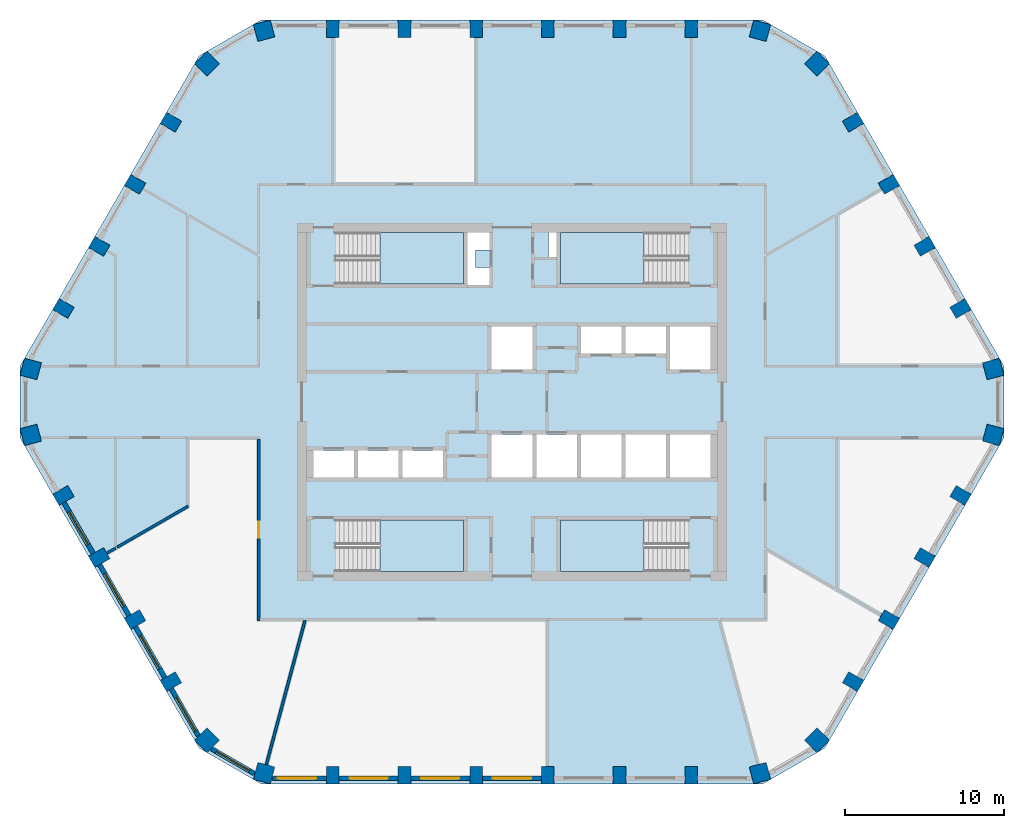
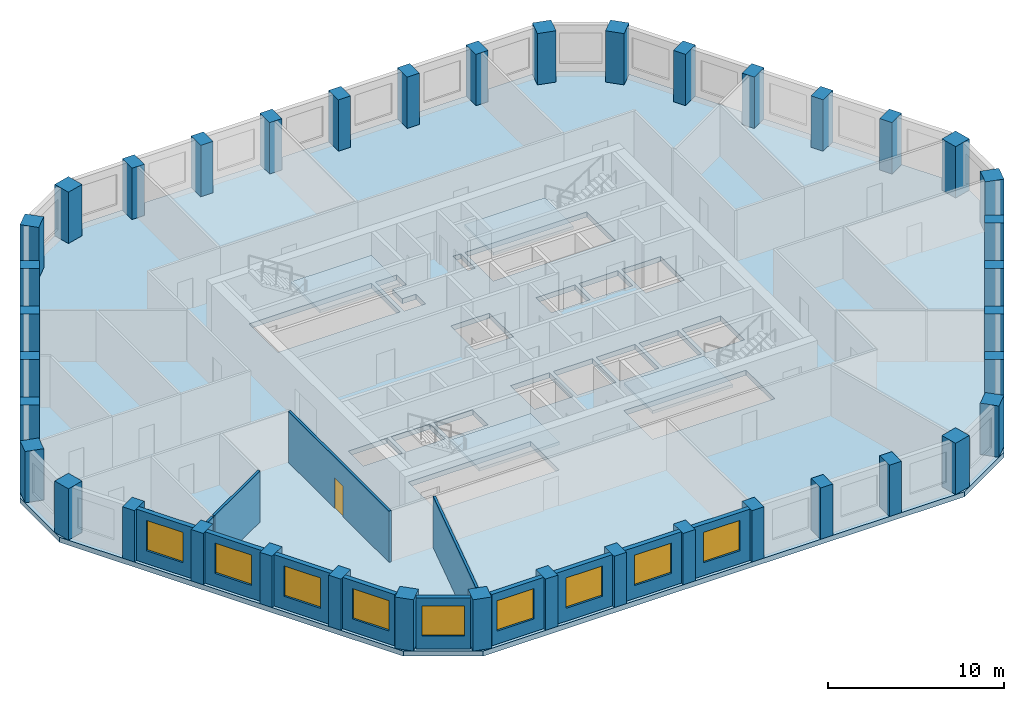
# One storey, part 1 of 11: 40 columns, 13 walls, 9 windows, 5 slabs, 1 door, 10 openings, 4 elements without a shape of their own.
"""IFC4 building model written with IfcOpenShell, lengths in metres."""

from ifc_helpers import new_model, si_unit, direction, frame, frame_2d, origin, origin_2d, place, context, subcontext, project, spatial, polyline, rectangle, outline, extrude, material, layer, layer_set, material_profile, profile_set, type_object, element, fill, aggregate, save


model = new_model("IFC4")

# Units and contexts
model_context = context("Model", 3, precision=1e-05, world=origin(), true_north=direction((0.0, 1.0)))
body_context = subcontext(model_context, "Body", "Model", "MODEL_VIEW")
ifc_project = project(units=[si_unit("LENGTHUNIT", "METRE"), si_unit("AREAUNIT", "SQUARE_METRE"), si_unit("VOLUMEUNIT", "CUBIC_METRE"), si_unit("PLANEANGLEUNIT", "RADIAN"), si_unit("MASSUNIT", "GRAM", prefix="KILO")], contexts=[model_context])

# Site, building, storey
site_placement = place(None, origin())
site = spatial("IfcSite", under=ifc_project, at=site_placement, CompositionType="ELEMENT")
building_placement = place(site_placement, origin())
building = spatial("IfcBuilding", under=site, at=building_placement, Name="Dhurran Vertical Campus", CompositionType="ELEMENT")
storey_placement = place(building_placement, frame((0.0, 0.0, 211.199951171875)))
storey = spatial("IfcBuildingStorey", under=building, at=storey_placement, Name="L52", CompositionType="ELEMENT", Elevation=211.199951171875)

# Columns
ifc_material_1 = material(Name="Concrete C50/60", Category="concrete")
ifc_material_profile_1 = material_profile(ifc_material_1, rectangle(XDim=1.10009765625, YDim=1.10009765625, at=origin_2d()), Name="RC 1100x1100")
ifc_profile_set_1 = profile_set([ifc_material_profile_1], Name="Concrete C50/60")
column_type_1 = type_object("IfcColumnType", Name="FR COL RC 1100x1100 C50/60", PredefinedType="COLUMN", material=ifc_profile_set_1)
for number, where, z_axis, x_axis, name in (
    (1, (-15.569580078125, -23.31201171875, 0.0), (0.0, 0.0, 1.0), (0.965925826289, -0.258819045103, 0.0), "Perimeter pier PP4.00"),
    (2, (15.569580078125, -23.31201171875, 0.0), (0.0, 0.0, 1.0), (0.965925826289, 0.258819045103, 0.0), "Perimeter pier PP4.07"),
    (3, (19.154052734375, -21.242431640625, 0.0), (0.0, 0.0, 1.0), (0.707106781187, 0.707106781187, 0.0), "Perimeter pier PP4.08"),
    (4, (30.223388671875, -2.069580078125, 0.0), (0.0, 0.0, 1.0), (0.258819045103, 0.965925826289, 0.0), "Perimeter pier PP4.13"),
    (5, (30.223388671875, 2.069580078125, 0.0), (0.0, 0.0, 1.0), (-0.258819045103, 0.965925826289, 0.0), "Perimeter pier PP4.14"),
    (6, (19.154052734375, 21.242431640625, 0.0), (0.0, 0.0, 1.0), (-0.707106781187, 0.707106781187, 0.0), "Perimeter pier PP4.19"),
    (7, (15.569580078125, 23.31201171875, 0.0), (0.0, 0.0, 1.0), (-0.965925826289, 0.258819045103, 0.0), "Perimeter pier PP4.20"),
    (8, (-15.569580078125, 23.31201171875, 0.0), (0.0, 0.0, 1.0), (-0.965925826289, -0.258819045103, 0.0), "Perimeter pier PP4.27"),
    (9, (-19.154052734375, 21.242431640625, 0.0), (0.0, 0.0, 1.0), (-0.707106781187, -0.707106781187, 0.0), "Perimeter pier PP4.28"),
    (10, (-30.223388671875, 2.069580078125, 0.0), (0.0, 0.0, 1.0), (-0.258819045103, -0.965925826289, 0.0), "Perimeter pier PP4.33"),
    (11, (-30.223388671875, -2.069580078125, 0.0), (0.0, 0.0, 1.0), (0.258819045103, -0.965925826289, 0.0), "Perimeter pier PP4.34"),
    (12, (-19.154052734375, -21.242431640625, 0.0), (0.0, 0.0, 1.0), (0.707106781187, -0.707106781187, 0.0), "Perimeter pier PP4.39"),
):
    element("IfcColumn", number, at=place(storey_placement, frame(where, z_axis=z_axis, x_axis=x_axis)), inside=storey, type_object=column_type_1, Name=name, PredefinedType="COLUMN", context=body_context, shape_type="SweptSolid", body=[
        extrude(rectangle(XDim=1.10009765625, YDim=1.10009765625, at=origin_2d()), origin(), (0.0, 0.0, 1.0), 3.550048828125),
    ])
ifc_material_2 = material(Name="Concrete C50/60", Category="concrete")
ifc_material_profile_2 = material_profile(ifc_material_2, rectangle(XDim=0.800048828125, YDim=1.10009765625, at=origin_2d()), Name="RC 800x1100")
ifc_profile_set_2 = profile_set([ifc_material_profile_2], Name="Concrete C50/60")
column_type_2 = type_object("IfcColumnType", Name="FR COL RC 800x1100 C50/60", PredefinedType="COLUMN", material=ifc_profile_set_2)
for number, where, z_axis, x_axis, name in (
    (13, (-11.25, -23.435546875, 0.0), (0.0, 0.0, 1.0), (1.0, 0.0, 0.0), "Perimeter pier PP4.01"),
    (14, (-6.75, -23.435546875, 0.0), (0.0, 0.0, 1.0), (1.0, 0.0, 0.0), "Perimeter pier PP4.02"),
    (15, (-2.25, -23.435546875, 0.0), (0.0, 0.0, 1.0), (1.0, 0.0, 0.0), "Perimeter pier PP4.03"),
    (16, (2.25, -23.435546875, 0.0), (0.0, 0.0, 1.0), (1.0, 0.0, 0.0), "Perimeter pier PP4.04"),
    (17, (6.75, -23.435546875, 0.0), (0.0, 0.0, 1.0), (1.0, 0.0, 0.0), "Perimeter pier PP4.05"),
    (18, (11.25, -23.435546875, 0.0), (0.0, 0.0, 1.0), (1.0, 0.0, 0.0), "Perimeter pier PP4.06"),
    (19, (21.4208984375, -17.5634765625, 0.0), (0.0, 0.0, 1.0), (0.5, 0.866025403784, 0.0), "Perimeter pier PP4.09"),
    (20, (23.6708984375, -13.666259765625, 0.0), (0.0, 0.0, 1.0), (0.5, 0.866025403784, 0.0), "Perimeter pier PP4.10"),
    (21, (25.9208984375, -9.769287109375, 0.0), (0.0, 0.0, 1.0), (0.5, 0.866025403784, 0.0), "Perimeter pier PP4.11"),
    (22, (28.1708984375, -5.8720703125, 0.0), (0.0, 0.0, 1.0), (0.5, 0.866025403784, 0.0), "Perimeter pier PP4.12"),
    (23, (28.1708984375, 5.8720703125, 0.0), (0.0, 0.0, 1.0), (-0.5, 0.866025403784, 0.0), "Perimeter pier PP4.15"),
    (24, (25.9208984375, 9.769287109375, 0.0), (0.0, 0.0, 1.0), (-0.5, 0.866025403784, 0.0), "Perimeter pier PP4.16"),
    (25, (23.6708984375, 13.666259765625, 0.0), (0.0, 0.0, 1.0), (-0.5, 0.866025403784, 0.0), "Perimeter pier PP4.17"),
    (26, (21.4208984375, 17.5634765625, 0.0), (0.0, 0.0, 1.0), (-0.5, 0.866025403784, 0.0), "Perimeter pier PP4.18"),
    (27, (11.25, 23.435546875, 0.0), (0.0, 0.0, 1.0), (-1.0, 0.0, 0.0), "Perimeter pier PP4.21"),
    (28, (6.75, 23.435546875, 0.0), (0.0, 0.0, 1.0), (-1.0, 0.0, 0.0), "Perimeter pier PP4.22"),
    (29, (2.25, 23.435546875, 0.0), (0.0, 0.0, 1.0), (-1.0, 0.0, 0.0), "Perimeter pier PP4.23"),
    (30, (-2.25, 23.435546875, 0.0), (0.0, 0.0, 1.0), (-1.0, 0.0, 0.0), "Perimeter pier PP4.24"),
    (31, (-6.75, 23.435546875, 0.0), (0.0, 0.0, 1.0), (-1.0, 0.0, 0.0), "Perimeter pier PP4.25"),
    (32, (-11.25, 23.435546875, 0.0), (0.0, 0.0, 1.0), (-1.0, 0.0, 0.0), "Perimeter pier PP4.26"),
    (33, (-21.4208984375, 17.5634765625, 0.0), (0.0, 0.0, 1.0), (-0.5, -0.866025403784, 0.0), "Perimeter pier PP4.29"),
    (34, (-23.6708984375, 13.666259765625, 0.0), (0.0, 0.0, 1.0), (-0.5, -0.866025403784, 0.0), "Perimeter pier PP4.30"),
    (35, (-25.9208984375, 9.769287109375, 0.0), (0.0, 0.0, 1.0), (-0.5, -0.866025403784, 0.0), "Perimeter pier PP4.31"),
    (36, (-28.1708984375, 5.8720703125, 0.0), (0.0, 0.0, 1.0), (-0.5, -0.866025403784, 0.0), "Perimeter pier PP4.32"),
    (37, (-28.1708984375, -5.8720703125, 0.0), (0.0, 0.0, 1.0), (0.5, -0.866025403784, 0.0), "Perimeter pier PP4.35"),
    (38, (-25.9208984375, -9.769287109375, 0.0), (0.0, 0.0, 1.0), (0.5, -0.866025403784, 0.0), "Perimeter pier PP4.36"),
    (39, (-23.6708984375, -13.666259765625, 0.0), (0.0, 0.0, 1.0), (0.5, -0.866025403784, 0.0), "Perimeter pier PP4.37"),
    (40, (-21.4208984375, -17.5634765625, 0.0), (0.0, 0.0, 1.0), (0.5, -0.866025403784, 0.0), "Perimeter pier PP4.38"),
):
    element("IfcColumn", number, at=place(storey_placement, frame(where, z_axis=z_axis, x_axis=x_axis)), inside=storey, type_object=column_type_2, Name=name, PredefinedType="COLUMN", context=body_context, shape_type="SweptSolid", body=[
        extrude(rectangle(XDim=0.800048828125, YDim=1.10009765625, at=origin_2d()), origin(), (0.0, 0.0, 1.0), 3.550048828125),
    ])

# Slab
ifc_material_3 = material(Name="Concrete C40/50", Category="concrete")
ifc_layer_1 = layer(ifc_material_3, 0.35009765625)
ifc_layer_set_1 = layer_set([ifc_layer_1], Name="Concrete C40/50")
slab_type_1 = type_object("IfcSlabType", Name="FR POST-TENSIONED FLAT SLAB 350", PredefinedType="FLOOR", material=ifc_layer_set_1)
slab_1_placement = place(storey_placement, frame((0.0, 0.0, -0.349853515625)))
element("IfcSlab", 41, at=slab_1_placement, inside=storey, type_object=slab_type_1, Name="Floor slab L52", PredefinedType="FLOOR", context=body_context, shape_type="SweptSolid", body=[
    extrude(outline(polyline([(-15.75, -23.985595703125), (15.75, -23.985595703125), (19.647216796875, -21.735595703125), (30.897216796875, -2.25), (30.897216796875, 2.25), (19.647216796875, 21.735595703125), (15.75, 23.985595703125), (-15.75, 23.985595703125), (-19.647216796875, 21.735595703125), (-30.897216796875, 2.25), (-30.897216796875, -2.25), (-19.647216796875, -21.735595703125), (-15.75, -23.985595703125)]), holes=[polyline([(-1.27490234375, 2.050048828125), (1.27490234375, 2.050048828125), (1.27490234375, 4.75), (-1.27490234375, 4.75), (-1.27490234375, 2.050048828125)]), polyline([(9.925048828125, 2.050048828125), (12.47509765625, 2.050048828125), (12.47509765625, 4.75), (9.925048828125, 4.75), (9.925048828125, 2.050048828125)]), polyline([(-1.27490234375, -4.75), (1.27490234375, -4.75), (1.27490234375, -2.050048828125), (-1.27490234375, -2.050048828125), (-1.27490234375, -4.75)]), polyline([(1.52490234375, -4.75), (4.074951171875, -4.75), (4.074951171875, -2.050048828125), (1.52490234375, -2.050048828125), (1.52490234375, -4.75)]), polyline([(4.324951171875, -4.75), (6.875, -4.75), (6.875, -2.050048828125), (4.324951171875, -2.050048828125), (4.324951171875, -4.75)]), polyline([(7.125, -4.75), (9.675048828125, -4.75), (9.675048828125, -2.050048828125), (7.125, -2.050048828125), (7.125, -4.75)]), polyline([(9.925048828125, -4.75), (12.47509765625, -4.75), (12.47509765625, -2.050048828125), (9.925048828125, -2.050048828125), (9.925048828125, -4.75)]), polyline([(4.324951171875, 3.050048828125), (6.875, 3.050048828125), (6.875, 4.75), (4.324951171875, 4.75), (4.324951171875, 3.050048828125)]), polyline([(7.125, 3.050048828125), (9.675048828125, 3.050048828125), (9.675048828125, 4.75), (7.125, 4.75), (7.125, 3.050048828125)]), polyline([(-12.47509765625, -4.75), (-9.925048828125, -4.75), (-9.925048828125, -3.050048828125), (-12.47509765625, -3.050048828125), (-12.47509765625, -4.75)]), polyline([(-9.675048828125, -4.75), (-7.125, -4.75), (-7.125, -3.050048828125), (-9.675048828125, -3.050048828125), (-9.675048828125, -4.75)]), polyline([(-6.875, -4.75), (-4.324951171875, -4.75), (-4.324951171875, -3.050048828125), (-6.875, -3.050048828125), (-6.875, -4.75)]), polyline([(-11.050048828125, 7.39990234375), (-3.050048828125, 7.39990234375), (-3.050048828125, 10.64990234375), (-11.050048828125, 10.64990234375), (-11.050048828125, 7.39990234375)]), polyline([(3.050048828125, 7.39990234375), (11.050048828125, 7.39990234375), (11.050048828125, 10.64990234375), (3.050048828125, 10.64990234375), (3.050048828125, 7.39990234375)]), polyline([(-11.050048828125, -10.64990234375), (-3.050048828125, -10.64990234375), (-3.050048828125, -7.39990234375), (-11.050048828125, -7.39990234375), (-11.050048828125, -10.64990234375)]), polyline([(3.050048828125, -10.64990234375), (11.050048828125, -10.64990234375), (11.050048828125, -7.39990234375), (3.050048828125, -7.39990234375), (3.050048828125, -10.64990234375)]), polyline([(-2.800048828125, 10.64990234375), (-1.39990234375, 10.64990234375), (-1.39990234375, 9.550048828125), (-2.300048828125, 9.550048828125), (-2.300048828125, 8.449951171875), (-1.39990234375, 8.449951171875), (-1.39990234375, 7.35009765625), (-2.800048828125, 7.35009765625), (-2.800048828125, 10.64990234375)]), polyline([(2.300048828125, 9.0), (2.300048828125, 10.64990234375), (2.800048828125, 10.64990234375), (2.800048828125, 9.0), (2.300048828125, 9.0)])]), origin(), (0.0, 0.0, 1.0), 0.349853515625),
])

# Stair, slab
ifc_material_4 = material(Name="Concrete C40/50", Category="concrete")
stair_type = type_object("IfcStairType", Name="co-ST-CORE", PredefinedType="HALF_TURN_STAIR", material=ifc_material_4)
stair_1_placement = place(storey_placement, origin())
stair_1 = element("IfcStair", 42, at=stair_1_placement, inside=storey, type_object=stair_type, Name="L52 Protected exit stair ST1", PredefinedType="HALF_TURN_STAIR")
ifc_material_5 = material(Name="Concrete C40/50", Category="concrete")
ifc_layer_2 = layer(ifc_material_5, 0.199951171875)
ifc_layer_set_2 = layer_set([ifc_layer_2], Name="Concrete C40/50")
slab_type_2 = type_object("IfcSlabType", Name="co-SL-LANDING", PredefinedType="LANDING", material=ifc_layer_set_2)
slab_2_placement = place(storey_placement, frame((0.0, 0.0, 1.75)))
slab_2 = element("IfcSlab", 43, at=slab_2_placement, type_object=slab_type_2, Name="ST1 landing 1", PredefinedType="LANDING", context=body_context, shape_type="SweptSolid", body=[
    extrude(outline(polyline([(-8.300048828125, 7.39990234375), (-3.050048828125, 7.39990234375), (-3.050048828125, 10.64990234375), (-8.300048828125, 10.64990234375), (-8.300048828125, 7.39990234375)])), origin(), (0.0, 0.0, 1.0), 0.199951171875),
])
aggregate(stair_1, [slab_2])

stair_2_placement = place(storey_placement, origin())
stair_2 = element("IfcStair", 44, at=stair_2_placement, inside=storey, type_object=stair_type, Name="L52 Protected exit stair ST2", PredefinedType="HALF_TURN_STAIR")
slab_3_placement = place(storey_placement, frame((0.0, 0.0, 1.75)))
slab_3 = element("IfcSlab", 45, at=slab_3_placement, type_object=slab_type_2, Name="ST2 landing 1", PredefinedType="LANDING", context=body_context, shape_type="SweptSolid", body=[
    extrude(outline(polyline([(8.300048828125, 10.64990234375), (3.050048828125, 10.64990234375), (3.050048828125, 7.39990234375), (8.300048828125, 7.39990234375), (8.300048828125, 10.64990234375)])), origin(), (0.0, 0.0, 1.0), 0.199951171875),
])
aggregate(stair_2, [slab_3])

stair_3_placement = place(storey_placement, origin())
stair_3 = element("IfcStair", 46, at=stair_3_placement, inside=storey, type_object=stair_type, Name="L52 Protected exit stair ST3", PredefinedType="HALF_TURN_STAIR")
slab_4_placement = place(storey_placement, frame((0.0, 0.0, 1.75)))
slab_4 = element("IfcSlab", 47, at=slab_4_placement, type_object=slab_type_2, Name="ST3 landing 1", PredefinedType="LANDING", context=body_context, shape_type="SweptSolid", body=[
    extrude(outline(polyline([(-8.300048828125, -10.64990234375), (-3.050048828125, -10.64990234375), (-3.050048828125, -7.39990234375), (-8.300048828125, -7.39990234375), (-8.300048828125, -10.64990234375)])), origin(), (0.0, 0.0, 1.0), 0.199951171875),
])
aggregate(stair_3, [slab_4])

stair_4_placement = place(storey_placement, origin())
stair_4 = element("IfcStair", 48, at=stair_4_placement, inside=storey, type_object=stair_type, Name="L52 Protected exit stair ST4", PredefinedType="HALF_TURN_STAIR")
slab_5_placement = place(storey_placement, frame((0.0, 0.0, 1.75)))
slab_5 = element("IfcSlab", 49, at=slab_5_placement, type_object=slab_type_2, Name="ST4 landing 1", PredefinedType="LANDING", context=body_context, shape_type="SweptSolid", body=[
    extrude(outline(polyline([(8.300048828125, -7.39990234375), (3.050048828125, -7.39990234375), (3.050048828125, -10.64990234375), (8.300048828125, -10.64990234375), (8.300048828125, -7.39990234375)])), origin(), (0.0, 0.0, 1.0), 0.199951171875),
])
aggregate(stair_4, [slab_5])

# Wall, opening, window
ifc_material_6 = material(Name="Precast concrete C50/60", Category="concrete")
ifc_layer_3 = layer(ifc_material_6, 0.300048828125)
ifc_layer_set_3 = layer_set([ifc_layer_3], Name="Precast concrete C50/60")
wall_type_1 = type_object("IfcWallType", Name="Precast spandrel wall 300", PredefinedType="SOLIDWALL", material=ifc_layer_set_3)
wall_1_placement = place(storey_placement, frame((-15.04638671875, -23.635498046875, 0.0), z_axis=(0.0, 0.0, 1.0), x_axis=(1.0, 0.0, 0.0)))
wall_1 = element("IfcWall", 50, at=wall_1_placement, inside=storey, type_object=wall_type_1, Name="EW1 L52.00", PredefinedType="SOLIDWALL", context=body_context, shape_type="SweptSolid", body=[
    extrude(rectangle(XDim=3.39599609375, YDim=0.300048828125, at=frame_2d((1.697998046875, 0.0))), origin(), (0.0, 0.0, 1.0), 3.550048828125),
])
opening_1_placement = place(wall_1_placement, frame((0.34619140625, 0.0, 0.89990234375)))
opening_1 = element("IfcOpeningElement", 51, at=opening_1_placement, cuts=wall_1, Name="Opening WT1", PredefinedType="OPENING", context=body_context, shape_type="SweptSolid", body=[
    extrude(rectangle(XDim=2.39990234375, YDim=2.10009765625, at=frame_2d((1.199951171875, 1.050048828125))), frame((0.0, 0.159912109375, 0.0), z_axis=(0.0, -1.0, 0.0), x_axis=(1.0, 0.0, 0.0)), (0.0, 0.0, 1.0), 0.320068359375),
])
ifc_material_7 = material(Name="Aluminium frame with solar-control glass", Category="aluminium")
window_type = type_object("IfcWindowType", Name="Punched window 2400 x 2100", PartitioningType="SINGLE_PANEL", PredefinedType="WINDOW", material=ifc_material_7)
window_1_placement = place(opening_1_placement, origin())
window_1 = element("IfcWindow", 52, at=window_1_placement, inside=storey, type_object=window_type, Name="WT1 L52.00", OverallHeight=2.10009765625, OverallWidth=2.39990234375, PartitioningType="SINGLE_PANEL", PredefinedType="WINDOW", context=body_context, shape_type="SweptSolid", body=[
    extrude(rectangle(XDim=2.39990234375, YDim=2.10009765625, at=frame_2d((1.199951171875, 1.050048828125))), frame((0.0, 0.030029296875, 0.0), z_axis=(0.0, -1.0, 0.0), x_axis=(1.0, 0.0, 0.0)), (0.0, 0.0, 1.0), 0.06005859375),
])
fill(opening_1, window_1)

wall_2_placement = place(storey_placement, frame((-10.849609375, -23.635498046875, 0.0), z_axis=(0.0, 0.0, 1.0), x_axis=(1.0, 0.0, 0.0)))
wall_2 = element("IfcWall", 53, at=wall_2_placement, inside=storey, type_object=wall_type_1, Name="EW1 L52.01", PredefinedType="SOLIDWALL", context=body_context, shape_type="SweptSolid", body=[
    extrude(rectangle(XDim=3.69921875, YDim=0.300048828125, at=frame_2d((1.849609375, 0.0))), origin(), (0.0, 0.0, 1.0), 3.550048828125),
])
opening_2_placement = place(wall_2_placement, frame((0.6494140625, 0.0, 0.89990234375)))
opening_2 = element("IfcOpeningElement", 54, at=opening_2_placement, cuts=wall_2, Name="Opening WT1", PredefinedType="OPENING", context=body_context, shape_type="SweptSolid", body=[
    extrude(rectangle(XDim=2.39990234375, YDim=2.10009765625, at=frame_2d((1.199951171875, 1.050048828125))), frame((0.0, 0.159912109375, 0.0), z_axis=(0.0, -1.0, 0.0), x_axis=(1.0, 0.0, 0.0)), (0.0, 0.0, 1.0), 0.320068359375),
])
window_2_placement = place(opening_2_placement, origin())
window_2 = element("IfcWindow", 55, at=window_2_placement, inside=storey, type_object=window_type, Name="WT1 L52.01", OverallHeight=2.10009765625, OverallWidth=2.39990234375, PartitioningType="SINGLE_PANEL", PredefinedType="WINDOW", context=body_context, shape_type="SweptSolid", body=[
    extrude(rectangle(XDim=2.39990234375, YDim=2.10009765625, at=frame_2d((1.199951171875, 1.050048828125))), frame((0.0, 0.030029296875, 0.0), z_axis=(0.0, -1.0, 0.0), x_axis=(1.0, 0.0, 0.0)), (0.0, 0.0, 1.0), 0.06005859375),
])
fill(opening_2, window_2)

wall_3_placement = place(storey_placement, frame((-6.349609375, -23.635498046875, 0.0), z_axis=(0.0, 0.0, 1.0), x_axis=(1.0, 0.0, 0.0)))
wall_3 = element("IfcWall", 56, at=wall_3_placement, inside=storey, type_object=wall_type_1, Name="EW1 L52.02", PredefinedType="SOLIDWALL", context=body_context, shape_type="SweptSolid", body=[
    extrude(rectangle(XDim=3.69921875, YDim=0.300048828125, at=frame_2d((1.849609375, 0.0))), origin(), (0.0, 0.0, 1.0), 3.550048828125),
])
opening_3_placement = place(wall_3_placement, frame((0.6494140625, 0.0, 0.89990234375)))
opening_3 = element("IfcOpeningElement", 57, at=opening_3_placement, cuts=wall_3, Name="Opening WT1", PredefinedType="OPENING", context=body_context, shape_type="SweptSolid", body=[
    extrude(rectangle(XDim=2.39990234375, YDim=2.10009765625, at=frame_2d((1.199951171875, 1.050048828125))), frame((0.0, 0.159912109375, 0.0), z_axis=(0.0, -1.0, 0.0), x_axis=(1.0, 0.0, 0.0)), (0.0, 0.0, 1.0), 0.320068359375),
])
window_3_placement = place(opening_3_placement, origin())
window_3 = element("IfcWindow", 58, at=window_3_placement, inside=storey, type_object=window_type, Name="WT1 L52.02", OverallHeight=2.10009765625, OverallWidth=2.39990234375, PartitioningType="SINGLE_PANEL", PredefinedType="WINDOW", context=body_context, shape_type="SweptSolid", body=[
    extrude(rectangle(XDim=2.39990234375, YDim=2.10009765625, at=frame_2d((1.199951171875, 1.050048828125))), frame((0.0, 0.030029296875, 0.0), z_axis=(0.0, -1.0, 0.0), x_axis=(1.0, 0.0, 0.0)), (0.0, 0.0, 1.0), 0.06005859375),
])
fill(opening_3, window_3)

wall_4_placement = place(storey_placement, frame((-1.849609375, -23.635498046875, 0.0), z_axis=(0.0, 0.0, 1.0), x_axis=(1.0, 0.0, 0.0)))
wall_4 = element("IfcWall", 59, at=wall_4_placement, inside=storey, type_object=wall_type_1, Name="EW1 L52.03", PredefinedType="SOLIDWALL", context=body_context, shape_type="SweptSolid", body=[
    extrude(rectangle(XDim=3.69921875, YDim=0.300048828125, at=frame_2d((1.849609375, 0.0))), origin(), (0.0, 0.0, 1.0), 3.550048828125),
])
opening_4_placement = place(wall_4_placement, frame((0.6494140625, 0.0, 0.89990234375)))
opening_4 = element("IfcOpeningElement", 60, at=opening_4_placement, cuts=wall_4, Name="Opening WT1", PredefinedType="OPENING", context=body_context, shape_type="SweptSolid", body=[
    extrude(rectangle(XDim=2.39990234375, YDim=2.10009765625, at=frame_2d((1.199951171875, 1.050048828125))), frame((0.0, 0.159912109375, 0.0), z_axis=(0.0, -1.0, 0.0), x_axis=(1.0, 0.0, 0.0)), (0.0, 0.0, 1.0), 0.320068359375),
])
window_4_placement = place(opening_4_placement, origin())
window_4 = element("IfcWindow", 61, at=window_4_placement, inside=storey, type_object=window_type, Name="WT1 L52.03", OverallHeight=2.10009765625, OverallWidth=2.39990234375, PartitioningType="SINGLE_PANEL", PredefinedType="WINDOW", context=body_context, shape_type="SweptSolid", body=[
    extrude(rectangle(XDim=2.39990234375, YDim=2.10009765625, at=frame_2d((1.199951171875, 1.050048828125))), frame((0.0, 0.030029296875, 0.0), z_axis=(0.0, -1.0, 0.0), x_axis=(1.0, 0.0, 0.0)), (0.0, 0.0, 1.0), 0.06005859375),
])
fill(opening_4, window_4)

wall_5_placement = place(storey_placement, frame((-28.143798828125, -6.319091796875, 0.0), z_axis=(0.0, 0.0, 1.0), x_axis=(0.500029062817, -0.866008623709, 0.0)))
wall_5 = element("IfcWall", 62, at=wall_5_placement, inside=storey, type_object=wall_type_1, Name="EW1 L52.35", PredefinedType="SOLIDWALL", context=body_context, shape_type="SweptSolid", body=[
    extrude(rectangle(XDim=3.698974609375, YDim=0.300048828125, at=frame_2d((1.849609375, 0.0))), origin(), (0.0, 0.0, 1.0), 3.550048828125),
])
opening_5_placement = place(wall_5_placement, frame((0.6494140625, 0.0, 0.89990234375)))
opening_5 = element("IfcOpeningElement", 63, at=opening_5_placement, cuts=wall_5, Name="Opening WT1", PredefinedType="OPENING", context=body_context, shape_type="SweptSolid", body=[
    extrude(rectangle(XDim=2.39990234375, YDim=2.10009765625, at=frame_2d((1.199951171875, 1.050048828125))), frame((0.0, 0.159912109375, 0.0), z_axis=(0.0, -1.0, 0.0), x_axis=(1.0, 0.0, 0.0)), (0.0, 0.0, 1.0), 0.320068359375),
])
window_5_placement = place(opening_5_placement, origin())
window_5 = element("IfcWindow", 64, at=window_5_placement, inside=storey, type_object=window_type, Name="WT1 L52.35", OverallHeight=2.10009765625, OverallWidth=2.39990234375, PartitioningType="SINGLE_PANEL", PredefinedType="WINDOW", context=body_context, shape_type="SweptSolid", body=[
    extrude(rectangle(XDim=2.39990234375, YDim=2.10009765625, at=frame_2d((1.199951171875, 1.050048828125))), frame((0.0, 0.030029296875, 0.0), z_axis=(0.0, -1.0, 0.0), x_axis=(1.0, 0.0, 0.0)), (0.0, 0.0, 1.0), 0.06005859375),
])
fill(opening_5, window_5)

wall_6_placement = place(storey_placement, frame((-25.893798828125, -10.216064453125, 0.0), z_axis=(0.0, 0.0, 1.0), x_axis=(0.500029062817, -0.866008623709, 0.0)))
wall_6 = element("IfcWall", 65, at=wall_6_placement, inside=storey, type_object=wall_type_1, Name="EW1 L52.36", PredefinedType="SOLIDWALL", context=body_context, shape_type="SweptSolid", body=[
    extrude(rectangle(XDim=3.698974609375, YDim=0.300048828125, at=frame_2d((1.849609375, 0.0))), origin(), (0.0, 0.0, 1.0), 3.550048828125),
])
opening_6_placement = place(wall_6_placement, frame((0.6494140625, 0.0, 0.89990234375)))
opening_6 = element("IfcOpeningElement", 66, at=opening_6_placement, cuts=wall_6, Name="Opening WT1", PredefinedType="OPENING", context=body_context, shape_type="SweptSolid", body=[
    extrude(rectangle(XDim=2.39990234375, YDim=2.10009765625, at=frame_2d((1.199951171875, 1.050048828125))), frame((0.0, 0.159912109375, 0.0), z_axis=(0.0, -1.0, 0.0), x_axis=(1.0, 0.0, 0.0)), (0.0, 0.0, 1.0), 0.320068359375),
])
window_6_placement = place(opening_6_placement, origin())
window_6 = element("IfcWindow", 67, at=window_6_placement, inside=storey, type_object=window_type, Name="WT1 L52.36", OverallHeight=2.10009765625, OverallWidth=2.39990234375, PartitioningType="SINGLE_PANEL", PredefinedType="WINDOW", context=body_context, shape_type="SweptSolid", body=[
    extrude(rectangle(XDim=2.39990234375, YDim=2.10009765625, at=frame_2d((1.199951171875, 1.050048828125))), frame((0.0, 0.030029296875, 0.0), z_axis=(0.0, -1.0, 0.0), x_axis=(1.0, 0.0, 0.0)), (0.0, 0.0, 1.0), 0.06005859375),
])
fill(opening_6, window_6)

wall_7_placement = place(storey_placement, frame((-23.643798828125, -14.11328125, 0.0), z_axis=(0.0, 0.0, 1.0), x_axis=(0.500029062817, -0.866008623709, 0.0)))
wall_7 = element("IfcWall", 68, at=wall_7_placement, inside=storey, type_object=wall_type_1, Name="EW1 L52.37", PredefinedType="SOLIDWALL", context=body_context, shape_type="SweptSolid", body=[
    extrude(rectangle(XDim=3.698974609375, YDim=0.300048828125, at=frame_2d((1.849609375, 0.0))), origin(), (0.0, 0.0, 1.0), 3.550048828125),
])
opening_7_placement = place(wall_7_placement, frame((0.6494140625, 0.0, 0.89990234375)))
opening_7 = element("IfcOpeningElement", 69, at=opening_7_placement, cuts=wall_7, Name="Opening WT1", PredefinedType="OPENING", context=body_context, shape_type="SweptSolid", body=[
    extrude(rectangle(XDim=2.39990234375, YDim=2.10009765625, at=frame_2d((1.199951171875, 1.050048828125))), frame((0.0, 0.159912109375, 0.0), z_axis=(0.0, -1.0, 0.0), x_axis=(1.0, 0.0, 0.0)), (0.0, 0.0, 1.0), 0.320068359375),
])
window_7_placement = place(opening_7_placement, origin())
window_7 = element("IfcWindow", 70, at=window_7_placement, inside=storey, type_object=window_type, Name="WT1 L52.37", OverallHeight=2.10009765625, OverallWidth=2.39990234375, PartitioningType="SINGLE_PANEL", PredefinedType="WINDOW", context=body_context, shape_type="SweptSolid", body=[
    extrude(rectangle(XDim=2.39990234375, YDim=2.10009765625, at=frame_2d((1.199951171875, 1.050048828125))), frame((0.0, 0.030029296875, 0.0), z_axis=(0.0, -1.0, 0.0), x_axis=(1.0, 0.0, 0.0)), (0.0, 0.0, 1.0), 0.06005859375),
])
fill(opening_7, window_7)

wall_8_placement = place(storey_placement, frame((-21.393798828125, -18.01025390625, 0.0), z_axis=(0.0, 0.0, 1.0), x_axis=(0.500012868213, -0.866017974191, 0.0)))
wall_8 = element("IfcWall", 71, at=wall_8_placement, inside=storey, type_object=wall_type_1, Name="EW1 L52.38", PredefinedType="SOLIDWALL", context=body_context, shape_type="SweptSolid", body=[
    extrude(rectangle(XDim=3.39599609375, YDim=0.300048828125, at=frame_2d((1.697998046875, 0.0))), origin(), (0.0, 0.0, 1.0), 3.550048828125),
])
opening_8_placement = place(wall_8_placement, frame((0.6494140625, 0.0, 0.89990234375)))
opening_8 = element("IfcOpeningElement", 72, at=opening_8_placement, cuts=wall_8, Name="Opening WT1", PredefinedType="OPENING", context=body_context, shape_type="SweptSolid", body=[
    extrude(rectangle(XDim=2.39990234375, YDim=2.10009765625, at=frame_2d((1.199951171875, 1.050048828125))), frame((0.0, 0.159912109375, 0.0), z_axis=(0.0, -1.0, 0.0), x_axis=(1.0, 0.0, 0.0)), (0.0, 0.0, 1.0), 0.320068359375),
])
window_8_placement = place(opening_8_placement, origin())
window_8 = element("IfcWindow", 73, at=window_8_placement, inside=storey, type_object=window_type, Name="WT1 L52.38", OverallHeight=2.10009765625, OverallWidth=2.39990234375, PartitioningType="SINGLE_PANEL", PredefinedType="WINDOW", context=body_context, shape_type="SweptSolid", body=[
    extrude(rectangle(XDim=2.39990234375, YDim=2.10009765625, at=frame_2d((1.199951171875, 1.050048828125))), frame((0.0, 0.030029296875, 0.0), z_axis=(0.0, -1.0, 0.0), x_axis=(1.0, 0.0, 0.0)), (0.0, 0.0, 1.0), 0.06005859375),
])
fill(opening_8, window_8)

wall_9_placement = place(storey_placement, frame((-18.86279296875, -21.7841796875, 0.0), z_axis=(0.0, 0.0, 1.0), x_axis=(0.865994975416, -0.500052699777, 0.0)))
wall_9 = element("IfcWall", 74, at=wall_9_placement, inside=storey, type_object=wall_type_1, Name="EW1 L52.39", PredefinedType="SOLIDWALL", context=body_context, shape_type="SweptSolid", body=[
    extrude(rectangle(XDim=3.093017578125, YDim=0.300048828125, at=frame_2d((1.54638671875, 0.0))), origin(), (0.0, 0.0, 1.0), 3.550048828125),
])
opening_9_placement = place(wall_9_placement, frame((0.34619140625, 0.0, 0.89990234375)))
opening_9 = element("IfcOpeningElement", 75, at=opening_9_placement, cuts=wall_9, Name="Opening WT1", PredefinedType="OPENING", context=body_context, shape_type="SweptSolid", body=[
    extrude(rectangle(XDim=2.39990234375, YDim=2.10009765625, at=frame_2d((1.199951171875, 1.050048828125))), frame((0.0, 0.159912109375, 0.0), z_axis=(0.0, -1.0, 0.0), x_axis=(1.0, 0.0, 0.0)), (0.0, 0.0, 1.0), 0.320068359375),
])
window_9_placement = place(opening_9_placement, origin())
window_9 = element("IfcWindow", 76, at=window_9_placement, inside=storey, type_object=window_type, Name="WT1 L52.39", OverallHeight=2.10009765625, OverallWidth=2.39990234375, PartitioningType="SINGLE_PANEL", PredefinedType="WINDOW", context=body_context, shape_type="SweptSolid", body=[
    extrude(rectangle(XDim=2.39990234375, YDim=2.10009765625, at=frame_2d((1.199951171875, 1.050048828125))), frame((0.0, 0.030029296875, 0.0), z_axis=(0.0, -1.0, 0.0), x_axis=(1.0, 0.0, 0.0)), (0.0, 0.0, 1.0), 0.06005859375),
])
fill(opening_9, window_9)

# Wall, opening, door
ifc_material_8 = material(Name="Gypsum board corridor wall on steel studs", Category="steel")
ifc_layer_4 = layer(ifc_material_8, 0.14990234375)
ifc_layer_set_4 = layer_set([ifc_layer_4], Name="Gypsum board corridor wall on steel studs")
wall_type_2 = type_object("IfcWallType", Name="fl-CW-150 corridor wall", PredefinedType="PARTITIONING", material=ifc_layer_set_4)
wall_10_placement = place(storey_placement, frame((-15.89990234375, -2.324951171875, 0.0), z_axis=(0.0, 0.0, 1.0), x_axis=(0.0, -1.0, 0.0)))
wall_10 = element("IfcWall", 77, at=wall_10_placement, inside=storey, type_object=wall_type_2, Name="Partition 52-16", PredefinedType="PARTITIONING", context=body_context, shape_type="SweptSolid", body=[
    extrude(rectangle(XDim=11.400146484375, YDim=0.14990234375, at=frame_2d((5.7001953125, 0.0))), origin(), (0.0, 0.0, 1.0), 3.550048828125),
])
opening_10_placement = place(wall_10_placement, frame((5.199951171875, 0.0, 0.0)))
opening_10 = element("IfcOpeningElement", 78, at=opening_10_placement, cuts=wall_10, Name="Opening T15.05", PredefinedType="OPENING", context=body_context, shape_type="SweptSolid", body=[
    extrude(rectangle(XDim=1.0, YDim=2.10009765625, at=frame_2d((0.5, 1.050048828125))), frame((0.0, 0.0849609375, 0.0), z_axis=(0.0, -1.0, 0.0), x_axis=(1.0, 0.0, 0.0)), (0.0, 0.0, 1.0), 0.169921875),
])
ifc_material_9 = material(Name="Solid-core timber door set, fire-rated", Category="wood")
door_type = type_object("IfcDoorType", Name="fl-D-1000x2100", OperationType="SINGLE_SWING_LEFT", PredefinedType="DOOR", material=ifc_material_9)
door_placement = place(opening_10_placement, origin())
door = element("IfcDoor", 79, at=door_placement, inside=storey, type_object=door_type, Name="Door 52.05", OperationType="SINGLE_SWING_LEFT", OverallHeight=2.10009765625, OverallWidth=1.0, PredefinedType="DOOR", context=body_context, shape_type="SweptSolid", body=[
    extrude(rectangle(XDim=1.0, YDim=2.10009765625, at=frame_2d((0.5, 1.050048828125))), frame((0.0, 0.02490234375, 0.0), z_axis=(0.0, -1.0, 0.0), x_axis=(1.0, 0.0, 0.0)), (0.0, 0.0, 1.0), 0.050048828125),
])
fill(opening_10, door)

# Walls
ifc_material_10 = material(Name="Gypsum board partition on steel studs", Category="steel")
ifc_layer_5 = layer(ifc_material_10, 0.14990234375)
ifc_layer_set_5 = layer_set([ifc_layer_5], Name="Gypsum board partition on steel studs")
wall_type_3 = type_object("IfcWallType", Name="fl-PW-150 fixed partition", PredefinedType="PARTITIONING", material=ifc_layer_set_5)
wall_11_placement = place(storey_placement, frame((-24.89990234375, -9.179931640625, 0.0), z_axis=(0.0, 0.0, 1.0), x_axis=(-0.86593842012, -0.50015062987, 0.0)))
element("IfcWall", 80, at=wall_11_placement, inside=storey, type_object=wall_type_3, Name="Partition 52-03", PredefinedType="PARTITIONING", context=body_context, shape_type="SweptSolid", body=[
    extrude(rectangle(XDim=0.608642578125, YDim=0.14990234375, at=frame_2d((0.30419921875, 0.0))), origin(), (0.0, 0.0, 1.0), 3.550048828125),
])
wall_12_placement = place(storey_placement, frame((-20.3349609375, -6.54443359375, 0.0), z_axis=(0.0, 0.0, 1.0), x_axis=(-0.86602821796, -0.499995125673, 0.0)))
element("IfcWall", 81, at=wall_12_placement, inside=storey, type_object=wall_type_3, Name="Partition 52-06", PredefinedType="PARTITIONING", context=body_context, shape_type="SweptSolid", body=[
    extrude(rectangle(XDim=5.14111328125, YDim=0.14990234375, at=frame_2d((2.570556640625, 0.0))), origin(), (0.0, 0.0, 1.0), 3.550048828125),
])
wall_13_placement = place(storey_placement, frame((-13.00048828125, -13.722412109375, 0.0), z_axis=(0.0, 0.0, 1.0), x_axis=(-0.258812157425, -0.96592767181, 0.0)))
element("IfcWall", 82, at=wall_13_placement, inside=storey, type_object=wall_type_3, Name="Partition 52-21", PredefinedType="PARTITIONING", context=body_context, shape_type="SweptSolid", body=[
    extrude(rectangle(XDim=9.357666015625, YDim=0.14990234375, at=frame_2d((4.6787109375, 0.0))), origin(), (0.0, 0.0, 1.0), 3.550048828125),
])

save(model, "model.ifc")
